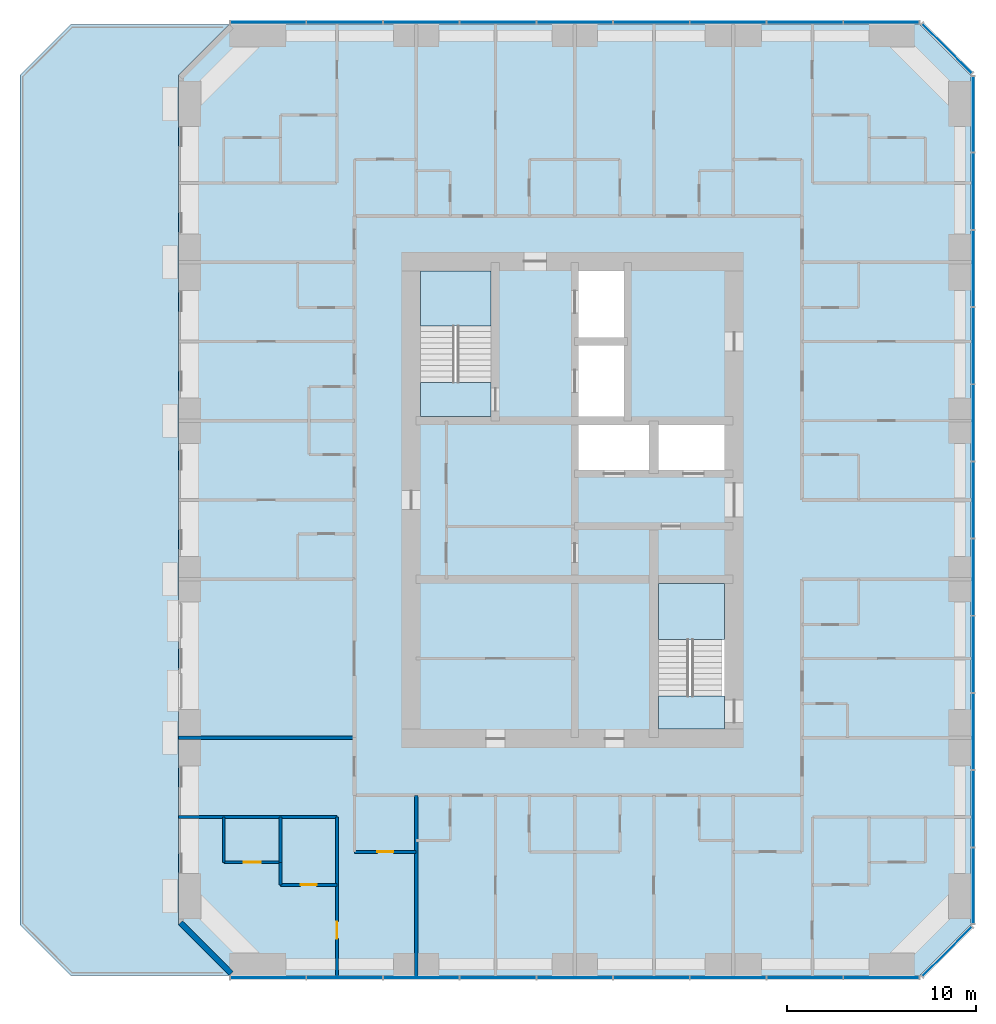
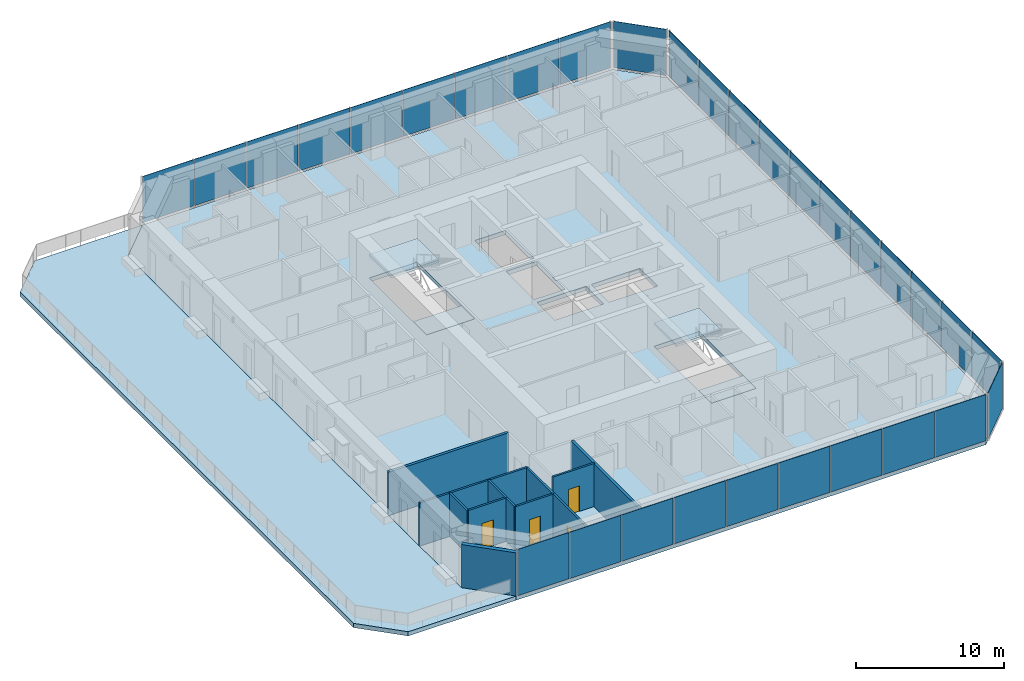
# One storey, part 6 of 13: 31 plates, 11 walls, 6 slabs, 4 doors, 4 openings, 7 elements without a shape of their own.
"""IFC4 building model written with IfcOpenShell, lengths in metres."""

from ifc_helpers import new_model, si_unit, direction, frame, frame_2d, origin, origin_2d, place, context, subcontext, project, spatial, polyline, rectangle, outline, extrude, material, layer, layer_set, type_object, element, fill, aggregate, save


model = new_model("IFC4")

# Units and contexts
model_context = context("Model", 3, precision=1e-05, world=origin(), true_north=direction((0.0, 1.0)))
body_context = subcontext(model_context, "Body", "Model", "MODEL_VIEW")
ifc_project = project(units=[si_unit("LENGTHUNIT", "METRE"), si_unit("AREAUNIT", "SQUARE_METRE"), si_unit("VOLUMEUNIT", "CUBIC_METRE"), si_unit("PLANEANGLEUNIT", "RADIAN"), si_unit("MASSUNIT", "GRAM", prefix="KILO")], contexts=[model_context])

# Site, building, storey
site_placement = place(None, origin())
site = spatial("IfcSite", under=ifc_project, at=site_placement, CompositionType="ELEMENT")
building_placement = place(site_placement, origin())
building = spatial("IfcBuilding", under=site, at=building_placement, Name="Dunama Terrace Hotel", CompositionType="ELEMENT")
storey_placement = place(building_placement, frame((0.0, 0.0, 225.60009765625)))
storey = spatial("IfcBuildingStorey", under=building, at=storey_placement, Name="L58", CompositionType="ELEMENT", Elevation=225.60009765625)

# Curtain wall, plates
ifc_material_1 = material(Name="Aluminium curtain wall system", Category="aluminium")
curtain_wall_type = type_object("IfcCurtainWallType", Name="Unitised fritted glass wall CW-D", PredefinedType="NOTDEFINED", material=ifc_material_1)
curtain_wall_1_placement = place(storey_placement, origin())
curtain_wall_1 = element("IfcCurtainWall", 1, at=curtain_wall_1_placement, inside=storey, type_object=curtain_wall_type, Name="Unitised fritted glass wall CW-D L58", PredefinedType="NOTDEFINED")
ifc_material_2 = material(Name="Laminated glass", Category="glass")
ifc_layer_1 = layer(ifc_material_2, 0.035888671875)
ifc_layer_set_1 = layer_set([ifc_layer_1], Name="CWD clear glass panel")
plate_type_1 = type_object("IfcPlateType", Name="CWD clear glass panel", PredefinedType="CURTAIN_PANEL", material=ifc_layer_set_1)
plate_1_placement = place(storey_placement, frame((17.35107421875, 4.080078125, 0.0849609375), z_axis=(0.0, 0.0, 1.0), x_axis=(1.0, 0.0, 0.0)))
plate_1 = element("IfcPlate", 2, at=plate_1_placement, type_object=plate_type_1, Name="CWD clear glass panel", PredefinedType="CURTAIN_PANEL", context=body_context, shape_type="SweptSolid", body=[
    extrude(rectangle(XDim=3.961669921875, YDim=0.035888671875, at=origin_2d()), origin(), (0.0, 0.0, 1.0), 3.81494140625),
])
plate_2_placement = place(storey_placement, frame((29.532958984375, 4.080078125, 0.0849609375), z_axis=(0.0, 0.0, 1.0), x_axis=(1.0, 0.0, 0.0)))
plate_2 = element("IfcPlate", 3, at=plate_2_placement, type_object=plate_type_1, Name="CWD clear glass panel", PredefinedType="CURTAIN_PANEL", context=body_context, shape_type="SweptSolid", body=[
    extrude(rectangle(XDim=3.99658203125, YDim=0.035888671875, at=origin_2d()), origin(), (0.0, 0.0, 1.0), 3.81494140625),
])
plate_3_placement = place(storey_placement, frame((41.73291015625, 4.080078125, 0.0849609375), z_axis=(0.0, 0.0, 1.0), x_axis=(1.0, 0.0, 0.0)))
plate_3 = element("IfcPlate", 4, at=plate_3_placement, type_object=plate_type_1, Name="CWD clear glass panel", PredefinedType="CURTAIN_PANEL", context=body_context, shape_type="SweptSolid", body=[
    extrude(rectangle(XDim=3.99658203125, YDim=0.035888671875, at=origin_2d()), origin(), (0.0, 0.0, 1.0), 3.81494140625),
])

# Curtain wall, plate
curtain_wall_2_placement = place(storey_placement, origin())
curtain_wall_2 = element("IfcCurtainWall", 5, at=curtain_wall_2_placement, inside=storey, type_object=curtain_wall_type, Name="Unitised fritted glass wall CW-D L58", PredefinedType="NOTDEFINED")
plate_4_placement = place(storey_placement, frame((53.3349609375, 5.465087890625, 0.0849609375), z_axis=(0.0, 0.0, 1.0), x_axis=(0.707106781187, 0.707106781187, 0.0)))
plate_4 = element("IfcPlate", 6, at=plate_4_placement, type_object=plate_type_1, Name="CWD clear glass panel", PredefinedType="CURTAIN_PANEL", context=body_context, shape_type="SweptSolid", body=[
    extrude(rectangle(XDim=3.678466796875, YDim=0.035888671875, at=origin_2d()), origin(), (0.0, 0.0, 1.0), 3.81494140625),
])
aggregate(curtain_wall_2, [plate_4])

# Curtain wall, plates
curtain_wall_3_placement = place(storey_placement, origin())
curtain_wall_3 = element("IfcCurtainWall", 7, at=curtain_wall_3_placement, inside=storey, type_object=curtain_wall_type, Name="Unitised fritted glass wall CW-D L58", PredefinedType="NOTDEFINED")
plate_5_placement = place(storey_placement, frame((54.719970703125, 17.126953125, 0.0849609375), z_axis=(0.0, 0.0, 1.0), x_axis=(0.0, 1.0, 0.0)))
plate_5 = element("IfcPlate", 8, at=plate_5_placement, type_object=plate_type_1, Name="CWD clear glass panel", PredefinedType="CURTAIN_PANEL", context=body_context, shape_type="SweptSolid", body=[
    extrude(rectangle(XDim=4.02099609375, YDim=0.035888671875, at=origin_2d()), origin(), (0.0, 0.0, 1.0), 3.81494140625),
])
plate_6_placement = place(storey_placement, frame((54.719970703125, 29.39990234375, 0.0849609375), z_axis=(0.0, 0.0, 1.0), x_axis=(0.0, 1.0, 0.0)))
plate_6 = element("IfcPlate", 9, at=plate_6_placement, type_object=plate_type_1, Name="CWD clear glass panel", PredefinedType="CURTAIN_PANEL", context=body_context, shape_type="SweptSolid", body=[
    extrude(rectangle(XDim=4.02099609375, YDim=0.035888671875, at=origin_2d()), origin(), (0.0, 0.0, 1.0), 3.81494140625),
])
plate_7_placement = place(storey_placement, frame((54.719970703125, 41.673095703125, 0.0849609375), z_axis=(0.0, 0.0, 1.0), x_axis=(0.0, 1.0, 0.0)))
plate_7 = element("IfcPlate", 10, at=plate_7_placement, type_object=plate_type_1, Name="CWD clear glass panel", PredefinedType="CURTAIN_PANEL", context=body_context, shape_type="SweptSolid", body=[
    extrude(rectangle(XDim=4.02099609375, YDim=0.035888671875, at=origin_2d()), origin(), (0.0, 0.0, 1.0), 3.81494140625),
])

# Curtain wall, plate
curtain_wall_4_placement = place(storey_placement, origin())
curtain_wall_4 = element("IfcCurtainWall", 11, at=curtain_wall_4_placement, inside=storey, type_object=curtain_wall_type, Name="Unitised fritted glass wall CW-D L58", PredefinedType="NOTDEFINED")
plate_8_placement = place(storey_placement, frame((53.3349609375, 53.3349609375, 0.0849609375), z_axis=(0.0, 0.0, 1.0), x_axis=(-0.707106781187, 0.707106781187, 0.0)))
plate_8 = element("IfcPlate", 12, at=plate_8_placement, type_object=plate_type_1, Name="CWD clear glass panel", PredefinedType="CURTAIN_PANEL", context=body_context, shape_type="SweptSolid", body=[
    extrude(rectangle(XDim=3.678466796875, YDim=0.035888671875, at=origin_2d()), origin(), (0.0, 0.0, 1.0), 3.81494140625),
])
aggregate(curtain_wall_4, [plate_8])

# Curtain wall, plates
curtain_wall_5_placement = place(storey_placement, origin())
curtain_wall_5 = element("IfcCurtainWall", 13, at=curtain_wall_5_placement, inside=storey, type_object=curtain_wall_type, Name="Unitised fritted glass wall CW-D L58", PredefinedType="NOTDEFINED")
plate_9_placement = place(storey_placement, frame((41.73291015625, 54.719970703125, 0.0849609375), z_axis=(0.0, 0.0, 1.0), x_axis=(-1.0, 0.0, 0.0)))
plate_9 = element("IfcPlate", 14, at=plate_9_placement, type_object=plate_type_1, Name="CWD clear glass panel", PredefinedType="CURTAIN_PANEL", context=body_context, shape_type="SweptSolid", body=[
    extrude(rectangle(XDim=3.99658203125, YDim=0.035888671875, at=origin_2d()), origin(), (0.0, 0.0, 1.0), 3.81494140625),
])
plate_10_placement = place(storey_placement, frame((29.532958984375, 54.719970703125, 0.0849609375), z_axis=(0.0, 0.0, 1.0), x_axis=(-1.0, 0.0, 0.0)))
plate_10 = element("IfcPlate", 15, at=plate_10_placement, type_object=plate_type_1, Name="CWD clear glass panel", PredefinedType="CURTAIN_PANEL", context=body_context, shape_type="SweptSolid", body=[
    extrude(rectangle(XDim=3.99658203125, YDim=0.035888671875, at=origin_2d()), origin(), (0.0, 0.0, 1.0), 3.81494140625),
])
plate_11_placement = place(storey_placement, frame((17.35107421875, 54.719970703125, 0.0849609375), z_axis=(0.0, 0.0, 1.0), x_axis=(-1.0, 0.0, 0.0)))
plate_11 = element("IfcPlate", 16, at=plate_11_placement, type_object=plate_type_1, Name="CWD clear glass panel", PredefinedType="CURTAIN_PANEL", context=body_context, shape_type="SweptSolid", body=[
    extrude(rectangle(XDim=3.961669921875, YDim=0.035888671875, at=origin_2d()), origin(), (0.0, 0.0, 1.0), 3.81494140625),
])

# Plate
ifc_material_3 = material(Name="Fritted laminated glass", Category="glass")
ifc_layer_2 = layer(ifc_material_3, 0.035888671875)
ifc_layer_set_2 = layer_set([ifc_layer_2], Name="CWD fritted glass panel")
plate_type_2 = type_object("IfcPlateType", Name="CWD fritted glass panel", PredefinedType="CURTAIN_PANEL", material=ifc_layer_set_2)
plate_12_placement = place(storey_placement, frame((25.467041015625, 4.080078125, 0.0849609375), z_axis=(0.0, 0.0, 1.0), x_axis=(1.0, 0.0, 0.0)))
plate_12 = element("IfcPlate", 17, at=plate_12_placement, type_object=plate_type_2, Name="CWD fritted glass panel", PredefinedType="CURTAIN_PANEL", context=body_context, shape_type="SweptSolid", body=[
    extrude(rectangle(XDim=3.99658203125, YDim=0.035888671875, at=origin_2d()), origin(), (0.0, 0.0, 1.0), 3.81494140625),
])

plate_13_placement = place(storey_placement, frame((37.6669921875, 4.080078125, 0.0849609375), z_axis=(0.0, 0.0, 1.0), x_axis=(1.0, 0.0, 0.0)))
plate_13 = element("IfcPlate", 18, at=plate_13_placement, type_object=plate_type_2, Name="CWD fritted glass panel", PredefinedType="CURTAIN_PANEL", context=body_context, shape_type="SweptSolid", body=[
    extrude(rectangle(XDim=3.99658203125, YDim=0.035888671875, at=origin_2d()), origin(), (0.0, 0.0, 1.0), 3.81494140625),
])

plate_14_placement = place(storey_placement, frame((49.84912109375, 4.080078125, 0.0849609375), z_axis=(0.0, 0.0, 1.0), x_axis=(1.0, 0.0, 0.0)))
plate_14 = element("IfcPlate", 19, at=plate_14_placement, type_object=plate_type_2, Name="CWD fritted glass panel", PredefinedType="CURTAIN_PANEL", context=body_context, shape_type="SweptSolid", body=[
    extrude(rectangle(XDim=3.961669921875, YDim=0.035888671875, at=origin_2d()), origin(), (0.0, 0.0, 1.0), 3.81494140625),
])

plate_15_placement = place(storey_placement, frame((54.719970703125, 13.035888671875, 0.0849609375), z_axis=(0.0, 0.0, 1.0), x_axis=(0.0, 1.0, 0.0)))
plate_15 = element("IfcPlate", 20, at=plate_15_placement, type_object=plate_type_2, Name="CWD fritted glass panel", PredefinedType="CURTAIN_PANEL", context=body_context, shape_type="SweptSolid", body=[
    extrude(rectangle(XDim=4.02099609375, YDim=0.035888671875, at=origin_2d()), origin(), (0.0, 0.0, 1.0), 3.81494140625),
])

plate_16_placement = place(storey_placement, frame((54.719970703125, 25.30908203125, 0.0849609375), z_axis=(0.0, 0.0, 1.0), x_axis=(0.0, 1.0, 0.0)))
plate_16 = element("IfcPlate", 21, at=plate_16_placement, type_object=plate_type_2, Name="CWD fritted glass panel", PredefinedType="CURTAIN_PANEL", context=body_context, shape_type="SweptSolid", body=[
    extrude(rectangle(XDim=4.02099609375, YDim=0.035888671875, at=origin_2d()), origin(), (0.0, 0.0, 1.0), 3.81494140625),
])

plate_17_placement = place(storey_placement, frame((54.719970703125, 37.58203125, 0.0849609375), z_axis=(0.0, 0.0, 1.0), x_axis=(0.0, 1.0, 0.0)))
plate_17 = element("IfcPlate", 22, at=plate_17_placement, type_object=plate_type_2, Name="CWD fritted glass panel", PredefinedType="CURTAIN_PANEL", context=body_context, shape_type="SweptSolid", body=[
    extrude(rectangle(XDim=4.02099609375, YDim=0.035888671875, at=origin_2d()), origin(), (0.0, 0.0, 1.0), 3.81494140625),
])

plate_18_placement = place(storey_placement, frame((54.719970703125, 49.8369140625, 0.0849609375), z_axis=(0.0, 0.0, 1.0), x_axis=(0.0, 1.0, 0.0)))
plate_18 = element("IfcPlate", 23, at=plate_18_placement, type_object=plate_type_2, Name="CWD fritted glass panel", PredefinedType="CURTAIN_PANEL", context=body_context, shape_type="SweptSolid", body=[
    extrude(rectangle(XDim=3.98583984375, YDim=0.035888671875, at=origin_2d()), origin(), (0.0, 0.0, 1.0), 3.81494140625),
])

plate_19_placement = place(storey_placement, frame((45.800048828125, 54.719970703125, 0.0849609375), z_axis=(0.0, 0.0, 1.0), x_axis=(-1.0, 0.0, 0.0)))
plate_19 = element("IfcPlate", 24, at=plate_19_placement, type_object=plate_type_2, Name="CWD fritted glass panel", PredefinedType="CURTAIN_PANEL", context=body_context, shape_type="SweptSolid", body=[
    extrude(rectangle(XDim=3.99658203125, YDim=0.035888671875, at=origin_2d()), origin(), (0.0, 0.0, 1.0), 3.81494140625),
])

plate_20_placement = place(storey_placement, frame((33.60009765625, 54.719970703125, 0.0849609375), z_axis=(0.0, 0.0, 1.0), x_axis=(-1.0, 0.0, 0.0)))
plate_20 = element("IfcPlate", 25, at=plate_20_placement, type_object=plate_type_2, Name="CWD fritted glass panel", PredefinedType="CURTAIN_PANEL", context=body_context, shape_type="SweptSolid", body=[
    extrude(rectangle(XDim=3.99658203125, YDim=0.035888671875, at=origin_2d()), origin(), (0.0, 0.0, 1.0), 3.81494140625),
])

plate_21_placement = place(storey_placement, frame((21.39990234375, 54.719970703125, 0.0849609375), z_axis=(0.0, 0.0, 1.0), x_axis=(-1.0, 0.0, 0.0)))
plate_21 = element("IfcPlate", 26, at=plate_21_placement, type_object=plate_type_2, Name="CWD fritted glass panel", PredefinedType="CURTAIN_PANEL", context=body_context, shape_type="SweptSolid", body=[
    extrude(rectangle(XDim=3.99658203125, YDim=0.035888671875, at=origin_2d()), origin(), (0.0, 0.0, 1.0), 3.81494140625),
])

ifc_material_4 = material(Name="Laminated glass", Category="glass")
ifc_layer_3 = layer(ifc_material_4, 0.035888671875)
ifc_layer_set_3 = layer_set([ifc_layer_3], Name="CWD operable glass panel")
plate_type_3 = type_object("IfcPlateType", Name="CWD operable glass panel", PredefinedType="CURTAIN_PANEL", material=ifc_layer_set_3)
plate_22_placement = place(storey_placement, frame((21.39990234375, 4.080078125, 0.0849609375), z_axis=(0.0, 0.0, 1.0), x_axis=(1.0, 0.0, 0.0)))
plate_22 = element("IfcPlate", 27, at=plate_22_placement, type_object=plate_type_3, Name="CWD operable glass panel", PredefinedType="CURTAIN_PANEL", context=body_context, shape_type="SweptSolid", body=[
    extrude(rectangle(XDim=3.99658203125, YDim=0.035888671875, at=origin_2d()), origin(), (0.0, 0.0, 1.0), 3.81494140625),
])

plate_23_placement = place(storey_placement, frame((33.60009765625, 4.080078125, 0.0849609375), z_axis=(0.0, 0.0, 1.0), x_axis=(1.0, 0.0, 0.0)))
plate_23 = element("IfcPlate", 28, at=plate_23_placement, type_object=plate_type_3, Name="CWD operable glass panel", PredefinedType="CURTAIN_PANEL", context=body_context, shape_type="SweptSolid", body=[
    extrude(rectangle(XDim=3.99658203125, YDim=0.035888671875, at=origin_2d()), origin(), (0.0, 0.0, 1.0), 3.81494140625),
])

plate_24_placement = place(storey_placement, frame((45.800048828125, 4.080078125, 0.0849609375), z_axis=(0.0, 0.0, 1.0), x_axis=(1.0, 0.0, 0.0)))
plate_24 = element("IfcPlate", 29, at=plate_24_placement, type_object=plate_type_3, Name="CWD operable glass panel", PredefinedType="CURTAIN_PANEL", context=body_context, shape_type="SweptSolid", body=[
    extrude(rectangle(XDim=3.99658203125, YDim=0.035888671875, at=origin_2d()), origin(), (0.0, 0.0, 1.0), 3.81494140625),
])

aggregate(curtain_wall_1, [plate_1, plate_22, plate_12, plate_2, plate_23, plate_13, plate_3, plate_24, plate_14])

plate_25_placement = place(storey_placement, frame((54.719970703125, 8.962890625, 0.0849609375), z_axis=(0.0, 0.0, 1.0), x_axis=(0.0, 1.0, 0.0)))
plate_25 = element("IfcPlate", 30, at=plate_25_placement, type_object=plate_type_3, Name="CWD operable glass panel", PredefinedType="CURTAIN_PANEL", context=body_context, shape_type="SweptSolid", body=[
    extrude(rectangle(XDim=3.98583984375, YDim=0.035888671875, at=origin_2d()), origin(), (0.0, 0.0, 1.0), 3.81494140625),
])

plate_26_placement = place(storey_placement, frame((54.719970703125, 21.218017578125, 0.0849609375), z_axis=(0.0, 0.0, 1.0), x_axis=(0.0, 1.0, 0.0)))
plate_26 = element("IfcPlate", 31, at=plate_26_placement, type_object=plate_type_3, Name="CWD operable glass panel", PredefinedType="CURTAIN_PANEL", context=body_context, shape_type="SweptSolid", body=[
    extrude(rectangle(XDim=4.02099609375, YDim=0.035888671875, at=origin_2d()), origin(), (0.0, 0.0, 1.0), 3.81494140625),
])

plate_27_placement = place(storey_placement, frame((54.719970703125, 33.490966796875, 0.0849609375), z_axis=(0.0, 0.0, 1.0), x_axis=(0.0, 1.0, 0.0)))
plate_27 = element("IfcPlate", 32, at=plate_27_placement, type_object=plate_type_3, Name="CWD operable glass panel", PredefinedType="CURTAIN_PANEL", context=body_context, shape_type="SweptSolid", body=[
    extrude(rectangle(XDim=4.02099609375, YDim=0.035888671875, at=origin_2d()), origin(), (0.0, 0.0, 1.0), 3.81494140625),
])

plate_28_placement = place(storey_placement, frame((54.719970703125, 45.763916015625, 0.0849609375), z_axis=(0.0, 0.0, 1.0), x_axis=(0.0, 1.0, 0.0)))
plate_28 = element("IfcPlate", 33, at=plate_28_placement, type_object=plate_type_3, Name="CWD operable glass panel", PredefinedType="CURTAIN_PANEL", context=body_context, shape_type="SweptSolid", body=[
    extrude(rectangle(XDim=4.02099609375, YDim=0.035888671875, at=origin_2d()), origin(), (0.0, 0.0, 1.0), 3.81494140625),
])

aggregate(curtain_wall_3, [plate_25, plate_15, plate_5, plate_26, plate_16, plate_6, plate_27, plate_17, plate_7, plate_28, plate_18])

plate_29_placement = place(storey_placement, frame((49.84912109375, 54.719970703125, 0.0849609375), z_axis=(0.0, 0.0, 1.0), x_axis=(-1.0, 0.0, 0.0)))
plate_29 = element("IfcPlate", 34, at=plate_29_placement, type_object=plate_type_3, Name="CWD operable glass panel", PredefinedType="CURTAIN_PANEL", context=body_context, shape_type="SweptSolid", body=[
    extrude(rectangle(XDim=3.961669921875, YDim=0.035888671875, at=origin_2d()), origin(), (0.0, 0.0, 1.0), 3.81494140625),
])

plate_30_placement = place(storey_placement, frame((37.6669921875, 54.719970703125, 0.0849609375), z_axis=(0.0, 0.0, 1.0), x_axis=(-1.0, 0.0, 0.0)))
plate_30 = element("IfcPlate", 35, at=plate_30_placement, type_object=plate_type_3, Name="CWD operable glass panel", PredefinedType="CURTAIN_PANEL", context=body_context, shape_type="SweptSolid", body=[
    extrude(rectangle(XDim=3.99658203125, YDim=0.035888671875, at=origin_2d()), origin(), (0.0, 0.0, 1.0), 3.81494140625),
])

plate_31_placement = place(storey_placement, frame((25.467041015625, 54.719970703125, 0.0849609375), z_axis=(0.0, 0.0, 1.0), x_axis=(-1.0, 0.0, 0.0)))
plate_31 = element("IfcPlate", 36, at=plate_31_placement, type_object=plate_type_3, Name="CWD operable glass panel", PredefinedType="CURTAIN_PANEL", context=body_context, shape_type="SweptSolid", body=[
    extrude(rectangle(XDim=3.99658203125, YDim=0.035888671875, at=origin_2d()), origin(), (0.0, 0.0, 1.0), 3.81494140625),
])

aggregate(curtain_wall_5, [plate_29, plate_19, plate_9, plate_30, plate_20, plate_10, plate_31, plate_21, plate_11])

# Slab
ifc_material_5 = material(Name="Concrete C40/50", Category="concrete")
ifc_layer_4 = layer(ifc_material_5, 0.35009765625)
ifc_layer_set_4 = layer_set([ifc_layer_4], Name="Flat plate 350")
slab_type_1 = type_object("IfcSlabType", Name="Flat plate 350", PredefinedType="FLOOR", material=ifc_layer_set_4)
slab_1_placement = place(storey_placement, frame((0.0, 0.0, -0.35009765625)))
element("IfcSlab", 37, at=slab_1_placement, inside=storey, type_object=slab_type_1, Name="Floor slab L58", PredefinedType="FLOOR", context=body_context, shape_type="SweptSolid", body=[
    extrude(outline(polyline([(15.300048828125, 4.199951171875), (51.89990234375, 4.199951171875), (54.60009765625, 6.89990234375), (54.60009765625, 51.89990234375), (51.89990234375, 54.60009765625), (15.300048828125, 54.60009765625), (12.60009765625, 51.89990234375), (12.60009765625, 6.89990234375), (15.300048828125, 4.199951171875)]), holes=[polyline([(37.60009765625, 31.0), (37.60009765625, 33.39990234375), (33.800048828125, 33.39990234375), (33.800048828125, 31.0), (37.60009765625, 31.0)]), polyline([(41.800048828125, 31.0), (41.800048828125, 33.39990234375), (38.0, 33.39990234375), (38.0, 31.0), (41.800048828125, 31.0)]), polyline([(36.199951171875, 38.0), (36.199951171875, 41.800048828125), (33.800048828125, 41.800048828125), (33.800048828125, 38.0), (36.199951171875, 38.0)]), polyline([(36.199951171875, 33.800048828125), (36.199951171875, 37.60009765625), (33.800048828125, 37.60009765625), (33.800048828125, 33.800048828125), (36.199951171875, 33.800048828125)]), polyline([(29.175048828125, 33.824951171875), (29.175048828125, 41.550048828125), (25.425048828125, 41.550048828125), (25.425048828125, 33.824951171875), (29.175048828125, 33.824951171875)]), polyline([(41.550048828125, 17.25), (41.550048828125, 24.97509765625), (38.050048828125, 24.97509765625), (38.050048828125, 17.25), (41.550048828125, 17.25)])]), origin(), (0.0, 0.0, 1.0), 0.35009765625),
])

# Stair, slabs
ifc_material_6 = material(Name="Concrete C40/50", Category="concrete")
stair_type_1 = type_object("IfcStairType", Name="Stair ST1-3900-1800", PredefinedType="HALF_TURN_STAIR", material=ifc_material_6)
stair_1_placement = place(storey_placement, origin())
stair_1 = element("IfcStair", 38, at=stair_1_placement, inside=storey, type_object=stair_type_1, Name="Stair ST1 L58", PredefinedType="HALF_TURN_STAIR")
ifc_material_7 = material(Name="Concrete C40/50", Category="concrete")
ifc_layer_5 = layer(ifc_material_7, 0.199951171875)
ifc_layer_set_5 = layer_set([ifc_layer_5], Name="Stair landing 200")
slab_type_2 = type_object("IfcSlabType", Name="Stair landing 200", PredefinedType="LANDING", material=ifc_layer_set_5)
slab_2_placement = place(storey_placement, frame((0.0, 0.0, -0.2001953125)))
slab_2 = element("IfcSlab", 39, at=slab_2_placement, type_object=slab_type_2, Name="ST1 landing 1, type S10", PredefinedType="LANDING", context=body_context, shape_type="SweptSolid", body=[
    extrude(outline(polyline([(25.425048828125, 33.824951171875), (29.175048828125, 33.824951171875), (29.175048828125, 35.625), (25.425048828125, 35.625), (25.425048828125, 33.824951171875)])), origin(), (0.0, 0.0, 1.0), 0.2001953125),
])
slab_3_placement = place(storey_placement, frame((0.0, 0.0, 1.75)))
slab_3 = element("IfcSlab", 40, at=slab_3_placement, type_object=slab_type_2, Name="ST1 landing 2, type S10", PredefinedType="LANDING", context=body_context, shape_type="SweptSolid", body=[
    extrude(outline(polyline([(25.425048828125, 38.625), (29.175048828125, 38.625), (29.175048828125, 41.550048828125), (25.425048828125, 41.550048828125), (25.425048828125, 38.625)])), origin(), (0.0, 0.0, 1.0), 0.199951171875),
])
aggregate(stair_1, [slab_2, slab_3])

ifc_material_8 = material(Name="Concrete C40/50", Category="concrete")
stair_type_2 = type_object("IfcStairType", Name="Stair ST2-3900-1600", PredefinedType="HALF_TURN_STAIR", material=ifc_material_8)
stair_2_placement = place(storey_placement, origin())
stair_2 = element("IfcStair", 41, at=stair_2_placement, inside=storey, type_object=stair_type_2, Name="Stair ST2 L58", PredefinedType="HALF_TURN_STAIR")
slab_4_placement = place(storey_placement, frame((0.0, 0.0, -0.2001953125)))
slab_4 = element("IfcSlab", 42, at=slab_4_placement, type_object=slab_type_2, Name="ST2 landing 1, type S10", PredefinedType="LANDING", context=body_context, shape_type="SweptSolid", body=[
    extrude(outline(polyline([(38.050048828125, 17.25), (41.550048828125, 17.25), (41.550048828125, 19.0), (38.050048828125, 19.0), (38.050048828125, 17.25)])), origin(), (0.0, 0.0, 1.0), 0.2001953125),
])
slab_5_placement = place(storey_placement, frame((0.0, 0.0, 1.75)))
slab_5 = element("IfcSlab", 43, at=slab_5_placement, type_object=slab_type_2, Name="ST2 landing 2, type S10", PredefinedType="LANDING", context=body_context, shape_type="SweptSolid", body=[
    extrude(outline(polyline([(38.050048828125, 22.0), (41.550048828125, 22.0), (41.550048828125, 24.97509765625), (38.050048828125, 24.97509765625), (38.050048828125, 22.0)])), origin(), (0.0, 0.0, 1.0), 0.199951171875),
])
aggregate(stair_2, [slab_4, slab_5])

# Slab
ifc_material_9 = material(Name="Concrete C40/50", Category="concrete")
ifc_layer_6 = layer(ifc_material_9, 0.35009765625)
ifc_layer_set_6 = layer_set([ifc_layer_6], Name="Terrace slab 350")
slab_type_3 = type_object("IfcSlabType", Name="Terrace slab 350", PredefinedType="FLOOR", material=ifc_layer_set_6)
slab_6_placement = place(storey_placement, frame((0.0, 0.0, -0.35009765625)))
element("IfcSlab", 44, at=slab_6_placement, inside=storey, type_object=slab_type_3, Name="Planted terrace slab", PredefinedType="FLOOR", context=body_context, shape_type="SweptSolid", body=[
    extrude(outline(polyline([(6.89990234375, 54.60009765625), (12.60009765625, 54.60009765625), (15.300048828125, 54.60009765625), (12.60009765625, 51.89990234375), (12.60009765625, 6.89990234375), (15.300048828125, 4.199951171875), (12.60009765625, 4.199951171875), (6.89990234375, 4.199951171875), (4.199951171875, 6.89990234375), (4.199951171875, 51.89990234375), (6.89990234375, 54.60009765625)])), origin(), (0.0, 0.0, 1.0), 0.35009765625),
])

# Wall
ifc_material_10 = material(Name="Gypsum board partition", Category="masonry")
ifc_layer_7 = layer(ifc_material_10, 0.14990234375)
ifc_layer_set_7 = layer_set([ifc_layer_7], Name="Bathroom partition 150")
wall_type_1 = type_object("IfcWallType", Name="Bathroom partition 150", PredefinedType="PARTITIONING", material=ifc_layer_set_7)
wall_1_placement = place(storey_placement, frame((18.0, 9.0, 0.0), z_axis=(0.0, 0.0, 1.0), x_axis=(0.0, 1.0, 0.0)))
element("IfcWall", 45, at=wall_1_placement, inside=storey, type_object=wall_type_1, Name="Bathroom partition 150 L58", PredefinedType="PARTITIONING", context=body_context, shape_type="SweptSolid", body=[
    extrude(rectangle(XDim=1.199951171875, YDim=0.14990234375, at=frame_2d((0.60009765625, 0.0))), origin(), (0.0, 0.0, 1.0), 3.5498046875),
])

# Wall, opening, door
wall_2_placement = place(storey_placement, frame((18.0, 9.0, 0.0), z_axis=(0.0, 0.0, 1.0), x_axis=(1.0, 0.0, 0.0)))
wall_2 = element("IfcWall", 46, at=wall_2_placement, inside=storey, type_object=wall_type_1, Name="Bathroom partition 150 L58", PredefinedType="PARTITIONING", context=body_context, shape_type="SweptSolid", body=[
    extrude(rectangle(XDim=3.0, YDim=0.14990234375, at=frame_2d((1.5, 0.0))), origin(), (0.0, 0.0, 1.0), 3.5498046875),
])
opening_1_placement = place(wall_2_placement, frame((1.074951171875, 0.0, 0.0)))
opening_1 = element("IfcOpeningElement", 47, at=opening_1_placement, cuts=wall_2, Name="Opening L58-053", PredefinedType="OPENING", context=body_context, shape_type="SweptSolid", body=[
    extrude(rectangle(XDim=0.85009765625, YDim=2.10009765625, at=frame_2d((0.425048828125, 1.050048828125))), frame((0.0, 0.0849609375, 0.0), z_axis=(0.0, -1.0, 0.0), x_axis=(1.0, 0.0, 0.0)), (0.0, 0.0, 1.0), 0.169921875),
])
ifc_material_11 = material(Name="Timber door with steel frame", Category="steel")
door_type_1 = type_object("IfcDoorType", Name="Bathroom door 850", OperationType="SINGLE_SWING_LEFT", PredefinedType="DOOR", material=ifc_material_11)
door_1_placement = place(opening_1_placement, origin())
door_1 = element("IfcDoor", 48, at=door_1_placement, inside=storey, type_object=door_type_1, Name="Door to en-suite bathroom L58-053, type D2", OperationType="SINGLE_SWING_LEFT", OverallHeight=2.10009765625, OverallWidth=0.85009765625, PredefinedType="DOOR", context=body_context, shape_type="SweptSolid", body=[
    extrude(rectangle(XDim=0.85009765625, YDim=2.10009765625, at=frame_2d((0.425048828125, 1.050048828125))), frame((0.0, 0.02490234375, 0.0), z_axis=(0.0, -1.0, 0.0), x_axis=(1.0, 0.0, 0.0)), (0.0, 0.0, 1.0), 0.050048828125),
])
fill(opening_1, door_1)

wall_3_placement = place(storey_placement, frame((21.925048828125, 10.75, 0.0), z_axis=(0.0, 0.0, 1.0), x_axis=(1.0, 0.0, 0.0)))
wall_3 = element("IfcWall", 49, at=wall_3_placement, inside=storey, type_object=wall_type_1, Name="Bathroom partition 150 L58", PredefinedType="PARTITIONING", context=body_context, shape_type="SweptSolid", body=[
    extrude(rectangle(XDim=3.27490234375, YDim=0.14990234375, at=frame_2d((1.637451171875, 0.0))), origin(), (0.0, 0.0, 1.0), 3.5498046875),
])
opening_2_placement = place(wall_3_placement, frame((1.2119140625, 0.0, 0.0)))
opening_2 = element("IfcOpeningElement", 50, at=opening_2_placement, cuts=wall_3, Name="Opening L58-051", PredefinedType="OPENING", context=body_context, shape_type="SweptSolid", body=[
    extrude(rectangle(XDim=0.85009765625, YDim=2.10009765625, at=frame_2d((0.425048828125, 1.050048828125))), frame((0.0, 0.0849609375, 0.0), z_axis=(0.0, -1.0, 0.0), x_axis=(1.0, 0.0, 0.0)), (0.0, 0.0, 1.0), 0.169921875),
])
door_2_placement = place(opening_2_placement, origin())
door_2 = element("IfcDoor", 51, at=door_2_placement, inside=storey, type_object=door_type_1, Name="Door to powder room L58-051, type D2", OperationType="SINGLE_SWING_RIGHT", OverallHeight=2.10009765625, OverallWidth=0.85009765625, PredefinedType="DOOR", context=body_context, shape_type="SweptSolid", body=[
    extrude(rectangle(XDim=0.85009765625, YDim=2.10009765625, at=frame_2d((0.425048828125, 1.050048828125))), frame((0.0, 0.02490234375, 0.0), z_axis=(0.0, -1.0, 0.0), x_axis=(1.0, 0.0, 0.0)), (0.0, 0.0, 1.0), 0.050048828125),
])
fill(opening_2, door_2)

# Walls
ifc_material_12 = material(Name="Concrete blockwork", Category="masonry")
ifc_layer_8 = layer(ifc_material_12, 0.199951171875)
ifc_layer_set_8 = layer_set([ifc_layer_8], Name="Party wall 200")
wall_type_2 = type_object("IfcWallType", Name="Party wall 200", PredefinedType="PARTITIONING", material=ifc_layer_set_8)
wall_4_placement = place(storey_placement, frame((25.199951171875, 4.181884765625, 0.0), z_axis=(0.0, 0.0, 1.0), x_axis=(0.0, 1.0, 0.0)))
element("IfcWall", 52, at=wall_4_placement, inside=storey, type_object=wall_type_2, Name="Party wall 200 L58", PredefinedType="PARTITIONING", context=body_context, shape_type="SweptSolid", body=[
    extrude(rectangle(XDim=9.568115234375, YDim=0.199951171875, at=frame_2d((4.7841796875, 0.0))), origin(), (0.0, 0.0, 1.0), 3.5498046875),
])
wall_5_placement = place(storey_placement, frame((12.60009765625, 16.800048828125, 0.0), z_axis=(0.0, 0.0, 1.0), x_axis=(1.0, 0.0, 0.0)))
element("IfcWall", 53, at=wall_5_placement, inside=storey, type_object=wall_type_2, Name="Party wall 200 L58", PredefinedType="PARTITIONING", context=body_context, shape_type="SweptSolid", body=[
    extrude(rectangle(XDim=9.324951171875, YDim=0.199951171875, at=frame_2d((4.66259765625, 0.0))), origin(), (0.0, 0.0, 1.0), 3.5498046875),
])
ifc_material_13 = material(Name="Gypsum board partition", Category="masonry")
ifc_layer_9 = layer(ifc_material_13, 0.14990234375)
ifc_layer_set_9 = layer_set([ifc_layer_9], Name="Room partition 150")
wall_type_3 = type_object("IfcWallType", Name="Room partition 150", PredefinedType="PARTITIONING", material=ifc_layer_set_9)
for number, where, z_axis, x_axis, name in (
    (54, (15.0, 10.199951171875, 0.0), (0.0, 0.0, 1.0), (0.0, 1.0, 0.0), "Room partition 150 L58"),
    (55, (18.0, 10.199951171875, 0.0), (0.0, 0.0, 1.0), (0.0, 1.0, 0.0), "Room partition 150 L58"),
):
    element("IfcWall", number, at=place(storey_placement, frame(where, z_axis=z_axis, x_axis=x_axis)), inside=storey, type_object=wall_type_3, Name=name, PredefinedType="PARTITIONING", context=body_context, shape_type="SweptSolid", body=[
        extrude(rectangle(XDim=2.400146484375, YDim=0.14990234375, at=frame_2d((1.2001953125, 0.0))), origin(), (0.0, 0.0, 1.0), 3.5498046875),
    ])

# Wall, opening, door
wall_6_placement = place(storey_placement, frame((21.0, 4.181884765625, 0.0), z_axis=(0.0, 0.0, 1.0), x_axis=(0.0, 1.0, 0.0)))
wall_6 = element("IfcWall", 56, at=wall_6_placement, inside=storey, type_object=wall_type_3, Name="Room partition 150 L58", PredefinedType="PARTITIONING", context=body_context, shape_type="SweptSolid", body=[
    extrude(rectangle(XDim=8.418212890625, YDim=0.14990234375, at=frame_2d((4.208984375, 0.0))), origin(), (0.0, 0.0, 1.0), 3.5498046875),
])
opening_3_placement = place(wall_6_placement, frame((1.968017578125, 0.0, 0.0)))
opening_3 = element("IfcOpeningElement", 57, at=opening_3_placement, cuts=wall_6, Name="Opening L58-052", PredefinedType="OPENING", context=body_context, shape_type="SweptSolid", body=[
    extrude(rectangle(XDim=0.89990234375, YDim=2.10009765625, at=frame_2d((0.449951171875, 1.050048828125))), frame((0.0, 0.0849609375, 0.0), z_axis=(0.0, -1.0, 0.0), x_axis=(1.0, 0.0, 0.0)), (0.0, 0.0, 1.0), 0.169921875),
])
ifc_material_14 = material(Name="Timber door with steel frame", Category="steel")
door_type_2 = type_object("IfcDoorType", Name="Suite internal door 900", OperationType="SINGLE_SWING_LEFT", PredefinedType="DOOR", material=ifc_material_14)
door_3_placement = place(opening_3_placement, origin())
door_3 = element("IfcDoor", 58, at=door_3_placement, inside=storey, type_object=door_type_2, Name="Door to grand corner suite bedroom L58-052, type D16", OperationType="SINGLE_SWING_LEFT", OverallHeight=2.10009765625, OverallWidth=0.89990234375, PredefinedType="DOOR", context=body_context, shape_type="SweptSolid", body=[
    extrude(rectangle(XDim=0.89990234375, YDim=2.10009765625, at=frame_2d((0.449951171875, 1.050048828125))), frame((0.0, 0.02490234375, 0.0), z_axis=(0.0, -1.0, 0.0), x_axis=(1.0, 0.0, 0.0)), (0.0, 0.0, 1.0), 0.050048828125),
])
fill(opening_3, door_3)

wall_7_placement = place(storey_placement, frame((15.0, 10.199951171875, 0.0), z_axis=(0.0, 0.0, 1.0), x_axis=(1.0, 0.0, 0.0)))
wall_7 = element("IfcWall", 59, at=wall_7_placement, inside=storey, type_object=wall_type_3, Name="Room partition 150 L58", PredefinedType="PARTITIONING", context=body_context, shape_type="SweptSolid", body=[
    extrude(rectangle(XDim=3.0, YDim=0.14990234375, at=frame_2d((1.5, 0.0))), origin(), (0.0, 0.0, 1.0), 3.5498046875),
])
opening_4_placement = place(wall_7_placement, frame((1.050048828125, 0.0, 0.0)))
opening_4 = element("IfcOpeningElement", 60, at=opening_4_placement, cuts=wall_7, Name="Opening L58-054", PredefinedType="OPENING", context=body_context, shape_type="SweptSolid", body=[
    extrude(rectangle(XDim=0.89990234375, YDim=2.10009765625, at=frame_2d((0.449951171875, 1.050048828125))), frame((0.0, 0.0849609375, 0.0), z_axis=(0.0, -1.0, 0.0), x_axis=(1.0, 0.0, 0.0)), (0.0, 0.0, 1.0), 0.169921875),
])
door_4_placement = place(opening_4_placement, origin())
door_4 = element("IfcDoor", 61, at=door_4_placement, inside=storey, type_object=door_type_2, Name="Door to dressing room L58-054, type D16", OperationType="SINGLE_SWING_LEFT", OverallHeight=2.10009765625, OverallWidth=0.89990234375, PredefinedType="DOOR", context=body_context, shape_type="SweptSolid", body=[
    extrude(rectangle(XDim=0.89990234375, YDim=2.10009765625, at=frame_2d((0.449951171875, 1.050048828125))), frame((0.0, 0.02490234375, 0.0), z_axis=(0.0, -1.0, 0.0), x_axis=(1.0, 0.0, 0.0)), (0.0, 0.0, 1.0), 0.050048828125),
])
fill(opening_4, door_4)

# Walls
wall_8_placement = place(storey_placement, frame((12.60009765625, 12.60009765625, 0.0), z_axis=(0.0, 0.0, 1.0), x_axis=(1.0, 0.0, 0.0)))
element("IfcWall", 62, at=wall_8_placement, inside=storey, type_object=wall_type_3, Name="Room partition 150 L58", PredefinedType="PARTITIONING", context=body_context, shape_type="SweptSolid", body=[
    extrude(rectangle(XDim=8.39990234375, YDim=0.14990234375, at=frame_2d((4.199951171875, 0.0))), origin(), (0.0, 0.0, 1.0), 3.5498046875),
])
ifc_material_15 = material(Name="Granite-faced concrete blockwork", Category="masonry")
ifc_layer_10 = layer(ifc_material_15, 0.300048828125)
ifc_layer_set_10 = layer_set([ifc_layer_10], Name="Terrace wall 300")
wall_type_4 = type_object("IfcWallType", Name="Terrace wall 300", PredefinedType="SOLIDWALL", material=ifc_layer_set_10)
wall_9_placement = place(storey_placement, frame((12.7060546875, 7.006103515625, 0.0), z_axis=(0.0, 0.0, 1.0), x_axis=(0.707074812166, -0.707138748762, 0.0)))
element("IfcWall", 63, at=wall_9_placement, inside=storey, type_object=wall_type_4, Name="Terrace wall 300 L58", PredefinedType="SOLIDWALL", context=body_context, shape_type="SweptSolid", body=[
    extrude(rectangle(XDim=3.818359375, YDim=0.300048828125, at=frame_2d((1.9091796875, 0.0))), origin(), (0.0, 0.0, 1.0), 3.5498046875),
])

save(model, "model.ifc")
